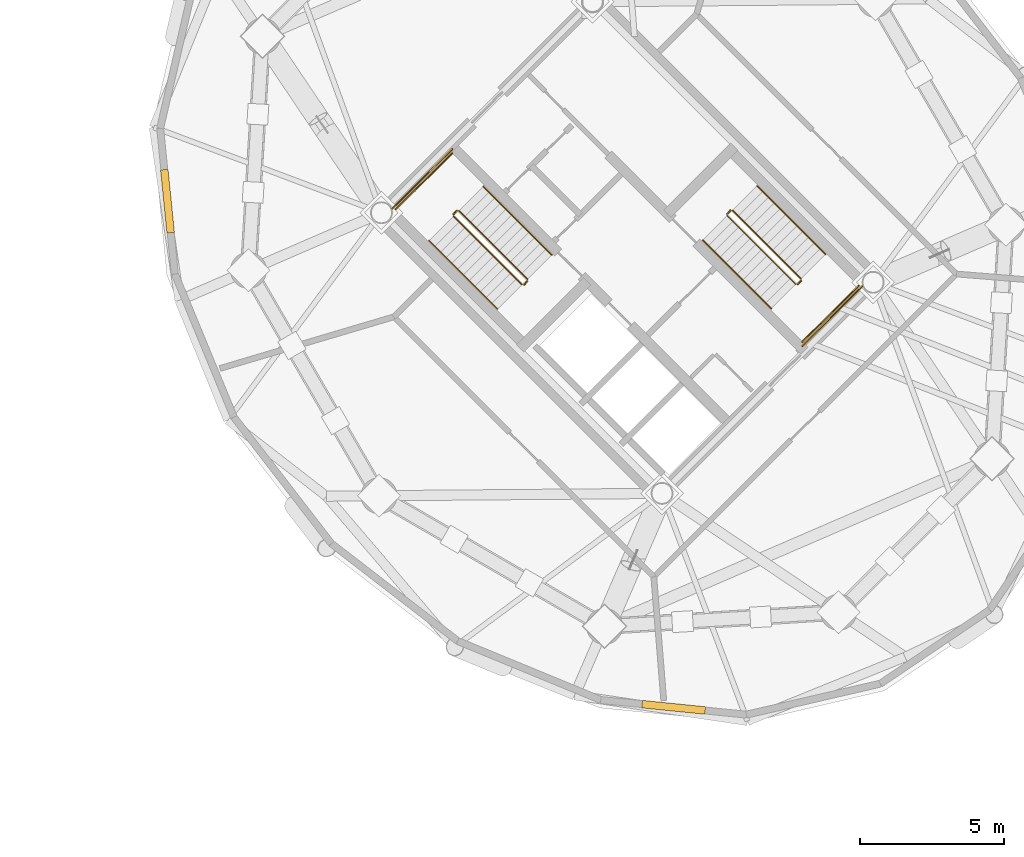
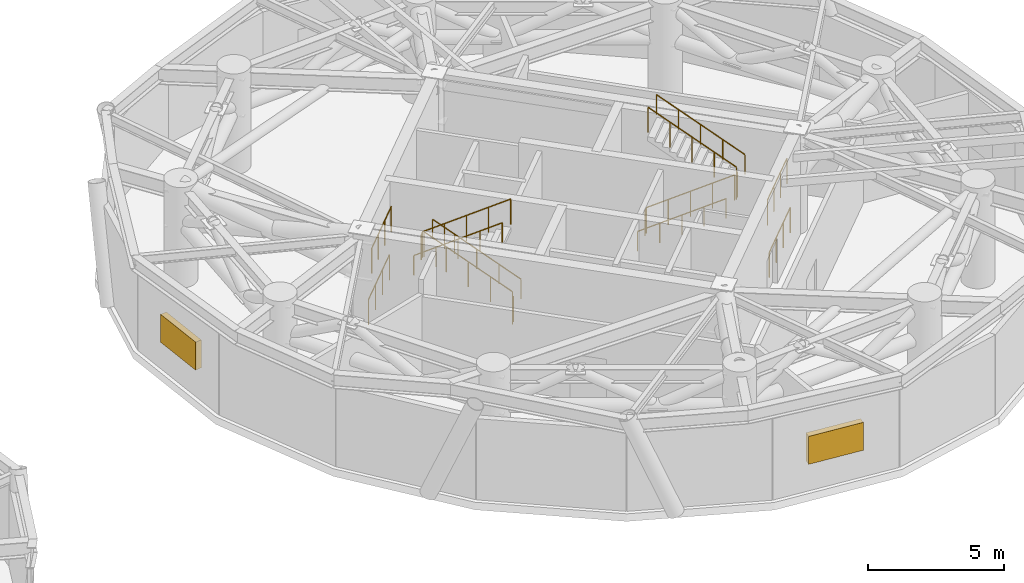
# One storey, part 15 of 16: 16 railings, 2 coverings.
"""IFC4 building model written with IfcOpenShell, lengths in metres."""

from ifc_helpers import new_model, si_unit, direction, frame, origin, origin_2d, place, context, subcontext, project, spatial, rectangle, circle, extrude, source, transform, mapped, material, type_object, element, save


model = new_model("IFC4")

# Units and contexts
model_context = context("Model", 3, precision=1e-05, world=origin(), true_north=direction((0.0, 1.0)))
body_context = subcontext(model_context, "Body", "Model", "MODEL_VIEW")
ifc_project = project(units=[si_unit("LENGTHUNIT", "METRE"), si_unit("AREAUNIT", "SQUARE_METRE"), si_unit("VOLUMEUNIT", "CUBIC_METRE"), si_unit("PLANEANGLEUNIT", "RADIAN"), si_unit("MASSUNIT", "GRAM", prefix="KILO")], contexts=[model_context])

# Site, building, storey
site_placement = place(None, origin())
site = spatial("IfcSite", under=ifc_project, at=site_placement, CompositionType="ELEMENT")
building_placement = place(site_placement, origin())
building = spatial("IfcBuilding", under=site, at=building_placement, Name="Cununo Teusaquillo Station Towers", CompositionType="ELEMENT")
storey_placement = place(building_placement, frame((0.0, 0.0, 147.10009765625)))
storey = spatial("IfcBuildingStorey", under=building, at=storey_placement, Name="L46", CompositionType="ELEMENT", Elevation=147.10009765625)

# Railings
ifc_material_1 = material(Name="Steel EN 10025-2 S355J2", Category="steel")
railing_type_1 = type_object("IfcRailingType", Name="RL-INT-GUARD", PredefinedType="GUARDRAIL", material=ifc_material_1)
railing_1_placement = place(storey_placement, frame((54.03515625, 23.39697265625, 0.173095703125)))
element("IfcRailing", 1, at=railing_1_placement, inside=storey, type_object=railing_type_1, Name="L46 ST-T2-1 stair guard 1", PredefinedType="GUARDRAIL", context=body_context, shape_type="SweptSolid", body=[
    extrude(circle(Radius=0.02392578125, at=origin_2d()), frame((0.0, 0.0, 1.1259765625), z_axis=(-0.601465884576, 0.601465884576, 0.525811353416), x_axis=(-0.707106781187, -0.707106781187, 0.0)), (0.0, 0.0, 1.0), 3.949951171875),
    extrude(circle(Radius=0.02099609375, at=origin_2d()), origin(), (0.0, 0.0, 1.0), 1.101806640625),
    extrude(circle(Radius=0.02099609375, at=origin_2d()), frame((-0.593994140625, 0.593994140625, 0.519287109375)), (0.0, 0.0, 1.0), 1.101806640625),
    extrude(circle(Radius=0.02099609375, at=origin_2d()), frame((-1.18798828125, 1.18798828125, 1.03857421875)), (0.0, 0.0, 1.0), 1.101806640625),
    extrude(circle(Radius=0.02099609375, at=origin_2d()), frame((-1.78173828125, 1.78173828125, 1.5576171875)), (0.0, 0.0, 1.0), 1.101806640625),
    extrude(circle(Radius=0.02099609375, at=origin_2d()), frame((-2.375732421875, 2.375732421875, 2.076904296875)), (0.0, 0.0, 1.0), 1.101806640625),
])
railing_2_placement = place(storey_placement, frame((51.588623046875, 25.772705078125, 2.25)))
element("IfcRailing", 2, at=railing_2_placement, inside=storey, type_object=railing_type_1, Name="L46 ST-T2-1 stair guard 2", PredefinedType="GUARDRAIL", context=body_context, shape_type="SweptSolid", body=[
    extrude(circle(Radius=0.02392578125, at=origin_2d()), frame((0.0, 0.0, 1.1259765625), z_axis=(-0.707106781187, -0.707106781187, 0.0), x_axis=(0.707106781187, -0.707106781187, 0.0)), (0.0, 0.0, 1.0), 0.159912109375),
    extrude(circle(Radius=0.02099609375, at=origin_2d()), origin(), (0.0, 0.0, 1.0), 1.101806640625),
    extrude(circle(Radius=0.02099609375, at=origin_2d()), frame((-0.113037109375, -0.113037109375, 0.0)), (0.0, 0.0, 1.0), 1.101806640625),
])
railing_3_placement = place(storey_placement, frame((51.426025390625, 27.77392578125, 2.25)))
element("IfcRailing", 3, at=railing_3_placement, inside=storey, type_object=railing_type_1, Name="L46 ST-T2-1 stair guard 3", PredefinedType="GUARDRAIL", context=body_context, shape_type="SweptSolid", body=[
    extrude(circle(Radius=0.02392578125, at=origin_2d()), frame((0.0, 0.0, 1.1259765625), z_axis=(-0.707106781187, -0.707106781187, 0.0), x_axis=(0.707106781187, -0.707106781187, 0.0)), (0.0, 0.0, 1.0), 2.760009765625),
    extrude(circle(Radius=0.02099609375, at=origin_2d()), origin(), (0.0, 0.0, 1.0), 1.101806640625),
    extrude(circle(Radius=0.02099609375, at=origin_2d()), frame((-0.650634765625, -0.650634765625, 0.0)), (0.0, 0.0, 1.0), 1.101806640625),
    extrude(circle(Radius=0.02099609375, at=origin_2d()), frame((-1.301025390625, -1.301025390625, 0.0)), (0.0, 0.0, 1.0), 1.101806640625),
    extrude(circle(Radius=0.02099609375, at=origin_2d()), frame((-1.95166015625, -1.95166015625, 0.0)), (0.0, 0.0, 1.0), 1.101806640625),
])
railing_4_placement = place(storey_placement, frame((51.4755859375, 25.5888671875, 2.423095703125)))
element("IfcRailing", 4, at=railing_4_placement, inside=storey, type_object=railing_type_1, Name="L46 ST-T2-1 stair guard 4", PredefinedType="GUARDRAIL", context=body_context, shape_type="SweptSolid", body=[
    extrude(circle(Radius=0.02392578125, at=origin_2d()), frame((0.0, 0.0, 1.1259765625), z_axis=(0.601465884576, -0.601465884576, 0.525811353416), x_axis=(0.707106781187, 0.707106781187, 0.0)), (0.0, 0.0, 1.0), 3.949951171875),
    extrude(circle(Radius=0.02099609375, at=origin_2d()), origin(), (0.0, 0.0, 1.0), 1.101806640625),
    extrude(circle(Radius=0.02099609375, at=origin_2d()), frame((0.593994140625, -0.593994140625, 0.519287109375)), (0.0, 0.0, 1.0), 1.101806640625),
    extrude(circle(Radius=0.02099609375, at=origin_2d()), frame((1.18798828125, -1.18798828125, 1.03857421875)), (0.0, 0.0, 1.0), 1.101806640625),
    extrude(circle(Radius=0.02099609375, at=origin_2d()), frame((1.78173828125, -1.78173828125, 1.5576171875)), (0.0, 0.0, 1.0), 1.101806640625),
    extrude(circle(Radius=0.02099609375, at=origin_2d()), frame((2.375732421875, -2.375732421875, 2.076904296875)), (0.0, 0.0, 1.0), 1.101806640625),
])
railing_5_placement = place(storey_placement, frame((54.03515625, 23.326171875, 0.0)))
element("IfcRailing", 5, at=railing_5_placement, inside=storey, type_object=railing_type_1, Name="L46 ST-T2-1 stair guard 5", PredefinedType="GUARDRAIL", context=body_context, shape_type="SweptSolid", body=[
    extrude(circle(Radius=0.02392578125, at=origin_2d()), frame((0.0, 0.0, 1.1259765625), z_axis=(-0.707106781187, -0.707106781187, 0.0), x_axis=(0.707106781187, -0.707106781187, 0.0)), (0.0, 0.0, 1.0), 0.159912109375),
    extrude(circle(Radius=0.02099609375, at=origin_2d()), origin(), (0.0, 0.0, 1.0), 1.101806640625),
    extrude(circle(Radius=0.02099609375, at=origin_2d()), frame((-0.113037109375, -0.113037109375, 0.0)), (0.0, 0.0, 1.0), 1.101806640625),
])
railing_6_placement = place(storey_placement, frame((51.426025390625, 27.915283203125, 0.0)))
element("IfcRailing", 6, at=railing_6_placement, inside=storey, type_object=railing_type_1, Name="L46 ST-T2-1 stair guard 6", PredefinedType="GUARDRAIL", context=body_context, shape_type="SweptSolid", body=[
    extrude(circle(Radius=0.02392578125, at=origin_2d()), frame((0.0, 0.0, 1.1259765625), z_axis=(-0.707106781187, -0.707106781187, 0.0), x_axis=(0.707106781187, -0.707106781187, 0.0)), (0.0, 0.0, 1.0), 2.9599609375),
    extrude(circle(Radius=0.02099609375, at=origin_2d()), origin(), (0.0, 0.0, 1.0), 1.101806640625),
    extrude(circle(Radius=0.02099609375, at=origin_2d()), frame((-0.69775390625, -0.69775390625, 0.0)), (0.0, 0.0, 1.0), 1.101806640625),
    extrude(circle(Radius=0.02099609375, at=origin_2d()), frame((-1.395263671875, -1.395263671875, 0.0)), (0.0, 0.0, 1.0), 1.101806640625),
    extrude(circle(Radius=0.02099609375, at=origin_2d()), frame((-2.093017578125, -2.093017578125, 0.0)), (0.0, 0.0, 1.0), 1.101806640625),
])
railing_7_placement = place(storey_placement, frame((60.96484375, 25.60302734375, 0.173095703125)))
element("IfcRailing", 7, at=railing_7_placement, inside=storey, type_object=railing_type_1, Name="L46 ST-T2-2 stair guard 1", PredefinedType="GUARDRAIL", context=body_context, shape_type="SweptSolid", body=[
    extrude(circle(Radius=0.02392578125, at=origin_2d()), frame((0.0, 0.0, 1.1259765625), z_axis=(0.601465884576, -0.601465884576, 0.525811353416), x_axis=(0.707106781187, 0.707106781187, 0.0)), (0.0, 0.0, 1.0), 3.949951171875),
    extrude(circle(Radius=0.02099609375, at=origin_2d()), origin(), (0.0, 0.0, 1.0), 1.101806640625),
    extrude(circle(Radius=0.02099609375, at=origin_2d()), frame((0.593994140625, -0.593994140625, 0.519287109375)), (0.0, 0.0, 1.0), 1.101806640625),
    extrude(circle(Radius=0.02099609375, at=origin_2d()), frame((1.18798828125, -1.18798828125, 1.03857421875)), (0.0, 0.0, 1.0), 1.101806640625),
    extrude(circle(Radius=0.02099609375, at=origin_2d()), frame((1.78173828125, -1.78173828125, 1.5576171875)), (0.0, 0.0, 1.0), 1.101806640625),
    extrude(circle(Radius=0.02099609375, at=origin_2d()), frame((2.375732421875, -2.375732421875, 2.076904296875)), (0.0, 0.0, 1.0), 1.101806640625),
])
railing_8_placement = place(storey_placement, frame((63.411376953125, 23.227294921875, 2.25)))
element("IfcRailing", 8, at=railing_8_placement, inside=storey, type_object=railing_type_1, Name="L46 ST-T2-2 stair guard 2", PredefinedType="GUARDRAIL", context=body_context, shape_type="SweptSolid", body=[
    extrude(circle(Radius=0.02392578125, at=origin_2d()), frame((0.0, 0.0, 1.1259765625), z_axis=(0.707106781187, 0.707106781187, 0.0), x_axis=(-0.707106781187, 0.707106781187, 0.0)), (0.0, 0.0, 1.0), 0.159912109375),
    extrude(circle(Radius=0.02099609375, at=origin_2d()), origin(), (0.0, 0.0, 1.0), 1.101806640625),
    extrude(circle(Radius=0.02099609375, at=origin_2d()), frame((0.113037109375, 0.113037109375, 0.0)), (0.0, 0.0, 1.0), 1.101806640625),
])
railing_9_placement = place(storey_placement, frame((63.573974609375, 21.22607421875, 2.25)))
element("IfcRailing", 9, at=railing_9_placement, inside=storey, type_object=railing_type_1, Name="L46 ST-T2-2 stair guard 3", PredefinedType="GUARDRAIL", context=body_context, shape_type="SweptSolid", body=[
    extrude(circle(Radius=0.02392578125, at=origin_2d()), frame((0.0, 0.0, 1.1259765625), z_axis=(0.707106781187, 0.707106781187, 0.0), x_axis=(-0.707106781187, 0.707106781187, 0.0)), (0.0, 0.0, 1.0), 2.760009765625),
    extrude(circle(Radius=0.02099609375, at=origin_2d()), origin(), (0.0, 0.0, 1.0), 1.101806640625),
    extrude(circle(Radius=0.02099609375, at=origin_2d()), frame((0.650634765625, 0.650634765625, 0.0)), (0.0, 0.0, 1.0), 1.101806640625),
    extrude(circle(Radius=0.02099609375, at=origin_2d()), frame((1.301025390625, 1.301025390625, 0.0)), (0.0, 0.0, 1.0), 1.101806640625),
    extrude(circle(Radius=0.02099609375, at=origin_2d()), frame((1.95166015625, 1.95166015625, 0.0)), (0.0, 0.0, 1.0), 1.101806640625),
])
railing_10_placement = place(storey_placement, frame((63.5244140625, 23.4111328125, 2.423095703125)))
element("IfcRailing", 10, at=railing_10_placement, inside=storey, type_object=railing_type_1, Name="L46 ST-T2-2 stair guard 4", PredefinedType="GUARDRAIL", context=body_context, shape_type="SweptSolid", body=[
    extrude(circle(Radius=0.02392578125, at=origin_2d()), frame((0.0, 0.0, 1.1259765625), z_axis=(-0.601465884576, 0.601465884576, 0.525811353416), x_axis=(-0.707106781187, -0.707106781187, 0.0)), (0.0, 0.0, 1.0), 3.949951171875),
    extrude(circle(Radius=0.02099609375, at=origin_2d()), origin(), (0.0, 0.0, 1.0), 1.101806640625),
    extrude(circle(Radius=0.02099609375, at=origin_2d()), frame((-0.593994140625, 0.593994140625, 0.519287109375)), (0.0, 0.0, 1.0), 1.101806640625),
    extrude(circle(Radius=0.02099609375, at=origin_2d()), frame((-1.18798828125, 1.18798828125, 1.03857421875)), (0.0, 0.0, 1.0), 1.101806640625),
    extrude(circle(Radius=0.02099609375, at=origin_2d()), frame((-1.78173828125, 1.78173828125, 1.5576171875)), (0.0, 0.0, 1.0), 1.101806640625),
    extrude(circle(Radius=0.02099609375, at=origin_2d()), frame((-2.375732421875, 2.375732421875, 2.076904296875)), (0.0, 0.0, 1.0), 1.101806640625),
])
railing_11_placement = place(storey_placement, frame((60.96484375, 25.673828125, 0.0)))
element("IfcRailing", 11, at=railing_11_placement, inside=storey, type_object=railing_type_1, Name="L46 ST-T2-2 stair guard 5", PredefinedType="GUARDRAIL", context=body_context, shape_type="SweptSolid", body=[
    extrude(circle(Radius=0.02392578125, at=origin_2d()), frame((0.0, 0.0, 1.1259765625), z_axis=(0.707106781187, 0.707106781187, 0.0), x_axis=(-0.707106781187, 0.707106781187, 0.0)), (0.0, 0.0, 1.0), 0.159912109375),
    extrude(circle(Radius=0.02099609375, at=origin_2d()), origin(), (0.0, 0.0, 1.0), 1.101806640625),
    extrude(circle(Radius=0.02099609375, at=origin_2d()), frame((0.113037109375, 0.113037109375, 0.0)), (0.0, 0.0, 1.0), 1.101806640625),
])
railing_12_placement = place(storey_placement, frame((63.573974609375, 21.084716796875, 0.0)))
element("IfcRailing", 12, at=railing_12_placement, inside=storey, type_object=railing_type_1, Name="L46 ST-T2-2 stair guard 6", PredefinedType="GUARDRAIL", context=body_context, shape_type="SweptSolid", body=[
    extrude(circle(Radius=0.02392578125, at=origin_2d()), frame((0.0, 0.0, 1.1259765625), z_axis=(0.707106781187, 0.707106781187, 0.0), x_axis=(-0.707106781187, 0.707106781187, 0.0)), (0.0, 0.0, 1.0), 2.9599609375),
    extrude(circle(Radius=0.02099609375, at=origin_2d()), origin(), (0.0, 0.0, 1.0), 1.101806640625),
    extrude(circle(Radius=0.02099609375, at=origin_2d()), frame((0.69775390625, 0.69775390625, 0.0)), (0.0, 0.0, 1.0), 1.101806640625),
    extrude(circle(Radius=0.02099609375, at=origin_2d()), frame((1.395263671875, 1.395263671875, 0.0)), (0.0, 0.0, 1.0), 1.101806640625),
    extrude(circle(Radius=0.02099609375, at=origin_2d()), frame((2.093017578125, 2.093017578125, 0.0)), (0.0, 0.0, 1.0), 1.101806640625),
])
ifc_material_2 = material(Name="Steel EN 10025-2 S355J2", Category="steel")
railing_type_2 = type_object("IfcRailingType", Name="RL-INT-HRAIL", PredefinedType="HANDRAIL", material=ifc_material_2)
railing_13_placement = place(storey_placement, frame((54.8837890625, 24.245361328125, 0.173095703125)))
element("IfcRailing", 13, at=railing_13_placement, inside=storey, type_object=railing_type_2, Name="L46 ST-T2-1 stair handrail 1", PredefinedType="HANDRAIL", context=body_context, shape_type="SweptSolid", body=[
    extrude(circle(Radius=0.02392578125, at=origin_2d()), frame((0.0, 0.0, 0.8759765625), z_axis=(-0.601482971545, 0.601482971545, 0.525772260474), x_axis=(-0.707106781187, -0.707106781187, 0.0)), (0.0, 0.0, 1.0), 3.9501953125),
    extrude(circle(Radius=0.02099609375, at=origin_2d()), origin(), (0.0, 0.0, 1.0), 0.851806640625),
    extrude(circle(Radius=0.02099609375, at=origin_2d()), frame((-0.593994140625, 0.593994140625, 0.519287109375)), (0.0, 0.0, 1.0), 0.851806640625),
    extrude(circle(Radius=0.02099609375, at=origin_2d()), frame((-1.18798828125, 1.18798828125, 1.03857421875)), (0.0, 0.0, 1.0), 0.851806640625),
    extrude(circle(Radius=0.02099609375, at=origin_2d()), frame((-1.781982421875, 1.781982421875, 1.5576171875)), (0.0, 0.0, 1.0), 0.851806640625),
    extrude(circle(Radius=0.02099609375, at=origin_2d()), frame((-2.3759765625, 2.3759765625, 2.076904296875)), (0.0, 0.0, 1.0), 0.851806640625),
])
for number, where, name in (
    (14, (50.626953125, 24.740478515625, 2.423095703125), "L46 ST-T2-1 stair handrail 2"),
    (15, (60.1162109375, 24.754638671875, 0.173095703125), "L46 ST-T2-2 stair handrail 1"),
):
    element("IfcRailing", number, at=place(storey_placement, frame(where)), inside=storey, type_object=railing_type_2, Name=name, PredefinedType="HANDRAIL", context=body_context, shape_type="SweptSolid", body=[
        extrude(circle(Radius=0.02392578125, at=origin_2d()), frame((0.0, 0.0, 0.8759765625), z_axis=(0.601482971545, -0.601482971545, 0.525772260474), x_axis=(0.707106781187, 0.707106781187, 0.0)), (0.0, 0.0, 1.0), 3.9501953125),
        extrude(circle(Radius=0.02099609375, at=origin_2d()), origin(), (0.0, 0.0, 1.0), 0.851806640625),
        extrude(circle(Radius=0.02099609375, at=origin_2d()), frame((0.593994140625, -0.593994140625, 0.519287109375)), (0.0, 0.0, 1.0), 0.851806640625),
        extrude(circle(Radius=0.02099609375, at=origin_2d()), frame((1.18798828125, -1.18798828125, 1.03857421875)), (0.0, 0.0, 1.0), 0.851806640625),
        extrude(circle(Radius=0.02099609375, at=origin_2d()), frame((1.781982421875, -1.781982421875, 1.5576171875)), (0.0, 0.0, 1.0), 0.851806640625),
        extrude(circle(Radius=0.02099609375, at=origin_2d()), frame((2.3759765625, -2.3759765625, 2.076904296875)), (0.0, 0.0, 1.0), 0.851806640625),
    ])
railing_14_placement = place(storey_placement, frame((64.373046875, 24.259521484375, 2.423095703125)))
element("IfcRailing", 16, at=railing_14_placement, inside=storey, type_object=railing_type_2, Name="L46 ST-T2-2 stair handrail 2", PredefinedType="HANDRAIL", context=body_context, shape_type="SweptSolid", body=[
    extrude(circle(Radius=0.02392578125, at=origin_2d()), frame((0.0, 0.0, 0.8759765625), z_axis=(-0.601482971545, 0.601482971545, 0.525772260474), x_axis=(-0.707106781187, -0.707106781187, 0.0)), (0.0, 0.0, 1.0), 3.9501953125),
    extrude(circle(Radius=0.02099609375, at=origin_2d()), origin(), (0.0, 0.0, 1.0), 0.851806640625),
    extrude(circle(Radius=0.02099609375, at=origin_2d()), frame((-0.593994140625, 0.593994140625, 0.519287109375)), (0.0, 0.0, 1.0), 0.851806640625),
    extrude(circle(Radius=0.02099609375, at=origin_2d()), frame((-1.18798828125, 1.18798828125, 1.03857421875)), (0.0, 0.0, 1.0), 0.851806640625),
    extrude(circle(Radius=0.02099609375, at=origin_2d()), frame((-1.781982421875, 1.781982421875, 1.5576171875)), (0.0, 0.0, 1.0), 0.851806640625),
    extrude(circle(Radius=0.02099609375, at=origin_2d()), frame((-2.3759765625, 2.3759765625, 2.076904296875)), (0.0, 0.0, 1.0), 0.851806640625),
])

# Coverings
ifc_material_3 = material(Name="Anodised dark bronze aluminium EN AW-6063-T6", Category="aluminium")
covering_type = type_object("IfcCoveringType", Name="COV-LOUVRE-ACOUSTIC", PredefinedType="USERDEFINED", material=ifc_material_3)
shared_shape = source(origin(), body_context, "Body", "SweptSolid", [
    extrude(rectangle(XDim=2.199951171875, YDim=0.260009765625, at=origin_2d()), origin(), (0.0, 0.0, 1.0), 1.25),
])
for number, where, z_axis, x_axis, name in (
    (17, (41.556396484375, 26.107421875, 1.19287109375), (0.0, 0.0, 1.0), (-0.100361714851, 0.994951016981, 0.0), "L46 Tower B Acoustic Plant Louvre C07"),
    (18, (59.107421875, 8.556396484375, 1.19287109375), (0.0, 0.0, 1.0), (-0.994951016981, 0.100361714851, 0.0), "L46 Tower B Acoustic Plant Louvre C12"),
):
    element("IfcCovering", number, at=place(storey_placement, frame(where, z_axis=z_axis, x_axis=x_axis)), inside=storey, type_object=covering_type, Name=name, ObjectType="LOUVRE", PredefinedType="USERDEFINED", context=body_context, shape_type="MappedRepresentation", body=[
        mapped(shared_shape, transform((0.0, 0.0, 0.0), x_axis=(1.0, 0.0, 0.0), y_axis=(0.0, 1.0, 0.0), z_axis=(0.0, 0.0, 1.0), scale=1.0)),
    ])

save(model, "model.ifc")
